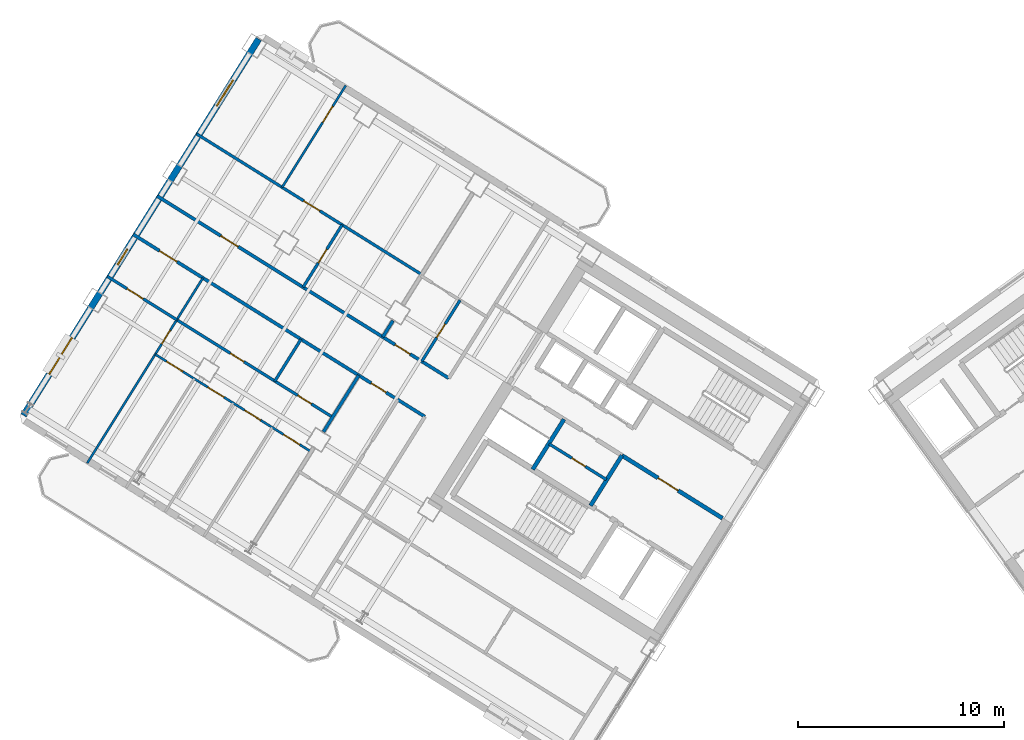
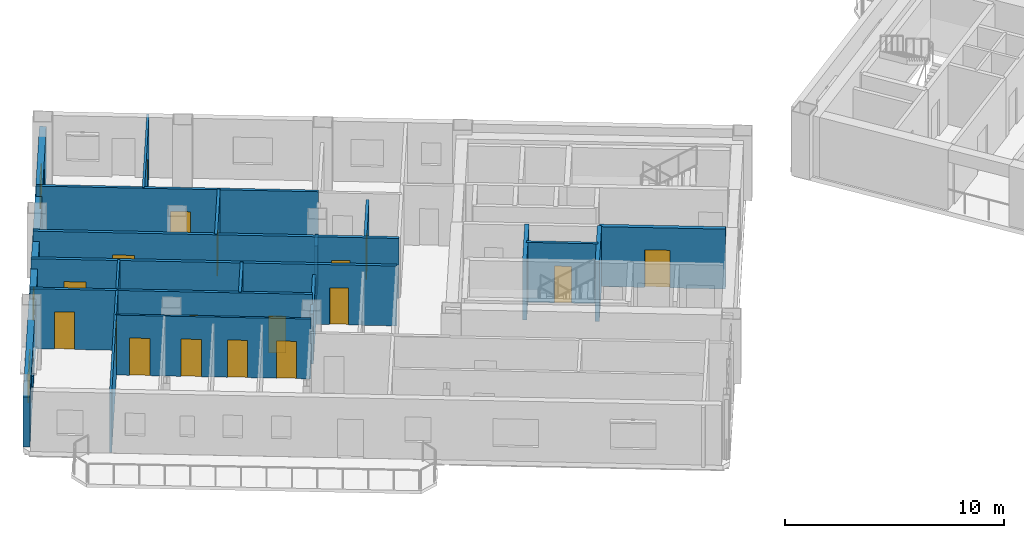
# One storey, part 11 of 19: 18 doors, 18 walls, 3 windows, 21 openings.
"""IFC4 building model written with IfcOpenShell, lengths in metres."""

from ifc_helpers import new_model, si_unit, direction, frame, frame_2d, origin, place, context, subcontext, project, spatial, rectangle, extrude, source, transform, mapped, material, layer, layer_set, type_object, element, fill, save


model = new_model("IFC4")

# Units and contexts
model_context = context("Model", 3, precision=1e-05, world=origin(), true_north=direction((0.0, 1.0)))
body_context = subcontext(model_context, "Body", "Model", "MODEL_VIEW")
ifc_project = project(units=[si_unit("LENGTHUNIT", "METRE"), si_unit("AREAUNIT", "SQUARE_METRE"), si_unit("VOLUMEUNIT", "CUBIC_METRE"), si_unit("PLANEANGLEUNIT", "RADIAN"), si_unit("MASSUNIT", "GRAM", prefix="KILO")], contexts=[model_context])

# Site, building, storey
site_placement = place(None, origin())
site = spatial("IfcSite", under=ifc_project, at=site_placement, CompositionType="ELEMENT")
building_placement = place(site_placement, origin())
building = spatial("IfcBuilding", under=site, at=building_placement, Name="Tlacorven Tower", CompositionType="ELEMENT")
storey_placement = place(building_placement, frame((0.0, 0.0, 147.89990234375)))
storey = spatial("IfcBuildingStorey", under=building, at=storey_placement, Name="L37", CompositionType="ELEMENT", Elevation=147.89990234375)

# Wall, openings, doors
ifc_material_1 = material(Name="Gypsum plasterboard acoustic partition", Category="gypsum")
ifc_layer_1 = layer(ifc_material_1, 0.159912109375)
ifc_layer_set_1 = layer_set([ifc_layer_1], Name="Gypsum plasterboard acoustic partition")
wall_type_1 = type_object("IfcWallType", Name="WL-DEM-160", PredefinedType="PARTITIONING", material=ifc_layer_set_1)
wall_1_placement = place(storey_placement, frame((23.104248046875, 25.25634765625, 0.0), z_axis=(0.0, 0.0, 1.0), x_axis=(-0.848041752158, 0.529929416617, 0.0)))
wall_1 = element("IfcWall", 1, at=wall_1_placement, inside=storey, type_object=wall_type_1, Name="L37 Wing W Corridor South Wall", PredefinedType="PARTITIONING", context=body_context, shape_type="SweptSolid", body=[
    extrude(rectangle(XDim=16.72998046875, YDim=0.159912109375, at=frame_2d((8.364990234375, 0.0))), origin(), (0.0, 0.0, 1.0), 3.340087890625),
])
opening_1_placement = place(wall_1_placement, frame((2.219970703125, 0.0, 0.0)))
opening_1 = element("IfcOpeningElement", 2, at=opening_1_placement, cuts=wall_1, Name="Opening D19", PredefinedType="OPENING", context=body_context, shape_type="SweptSolid", body=[
    extrude(rectangle(XDim=0.860107421875, YDim=2.050048828125, at=frame_2d((0.43017578125, 1.02490234375))), frame((0.0, 0.08984375, 0.0), z_axis=(0.0, -1.0, 0.0), x_axis=(1.0, 0.0, 0.0)), (0.0, 0.0, 1.0), 0.179931640625),
])
opening_2_placement = place(wall_1_placement, frame((12.083984375, 0.0, 0.0)))
opening_2 = element("IfcOpeningElement", 3, at=opening_2_placement, cuts=wall_1, Name="Opening D11", PredefinedType="OPENING", context=body_context, shape_type="SweptSolid", body=[
    extrude(rectangle(XDim=1.0, YDim=2.10009765625, at=frame_2d((0.5, 1.050048828125))), frame((0.0, 0.08984375, 0.0), z_axis=(0.0, -1.0, 0.0), x_axis=(1.0, 0.0, 0.0)), (0.0, 0.0, 1.0), 0.179931640625),
])
ifc_material_2 = material(Name="Fire-rated steel door assembly", Category="steel")
door_type_1 = type_object("IfcDoorType", Name="DR-RSR-FD60-0860", OperationType="NOTDEFINED", PredefinedType="DOOR", material=ifc_material_2)
shared_shape_1 = source(origin(), body_context, "Body", "SweptSolid", [
    extrude(rectangle(XDim=0.860107421875, YDim=2.050048828125, at=frame_2d((0.43017578125, 1.02490234375))), frame((0.0, 0.02490234375, 0.0), z_axis=(0.0, -1.0, 0.0), x_axis=(1.0, 0.0, 0.0)), (0.0, 0.0, 1.0), 0.050048828125),
])
door_1_placement = place(opening_1_placement, origin())
door_1 = element("IfcDoor", 4, at=door_1_placement, inside=storey, type_object=door_type_1, Name="L37 door 038", OperationType="SINGLE_SWING_RIGHT", OverallHeight=2.050048828125, OverallWidth=0.860107421875, PredefinedType="DOOR", context=body_context, shape_type="MappedRepresentation", body=[
    mapped(shared_shape_1, transform((0.0, 0.0, 0.0), scale=1.0)),
])
fill(opening_1, door_1)
door_type_2 = type_object("IfcDoorType", Name="DR-FLT-FD60-1000", OperationType="NOTDEFINED", PredefinedType="DOOR", material=ifc_material_2)
shared_shape_2 = source(origin(), body_context, "Body", "SweptSolid", [
    extrude(rectangle(XDim=1.0, YDim=2.10009765625, at=frame_2d((0.5, 1.050048828125))), frame((0.0, 0.02490234375, 0.0), z_axis=(0.0, -1.0, 0.0), x_axis=(1.0, 0.0, 0.0)), (0.0, 0.0, 1.0), 0.050048828125),
])
door_2_placement = place(opening_2_placement, origin())
door_2 = element("IfcDoor", 5, at=door_2_placement, inside=storey, type_object=door_type_2, Name="L37 door 042", OperationType="SINGLE_SWING_RIGHT", OverallHeight=2.10009765625, OverallWidth=1.0, PredefinedType="DOOR", context=body_context, shape_type="MappedRepresentation", body=[
    mapped(shared_shape_2, transform((0.0, 0.0, 0.0), scale=1.0)),
])
fill(opening_2, door_2)

wall_2_placement = place(storey_placement, frame((21.9384765625, 23.390625, 0.0), z_axis=(0.0, 0.0, 1.0), x_axis=(-0.848045850158, 0.529922858565, 0.0)))
wall_2 = element("IfcWall", 6, at=wall_2_placement, inside=storey, type_object=wall_type_1, Name="L37 Wing W Corridor North Wall", PredefinedType="PARTITIONING", context=body_context, shape_type="SweptSolid", body=[
    extrude(rectangle(XDim=16.730224609375, YDim=0.159912109375, at=frame_2d((8.365234375, 0.0))), origin(), (0.0, 0.0, 1.0), 3.340087890625),
])
opening_3_placement = place(wall_2_placement, frame((2.219970703125, 0.0, 0.0)))
opening_3 = element("IfcOpeningElement", 7, at=opening_3_placement, cuts=wall_2, Name="Opening D19", PredefinedType="OPENING", context=body_context, shape_type="SweptSolid", body=[
    extrude(rectangle(XDim=0.860107421875, YDim=2.050048828125, at=frame_2d((0.43017578125, 1.02490234375))), frame((0.0, 0.08984375, 0.0), z_axis=(0.0, -1.0, 0.0), x_axis=(1.0, 0.0, 0.0)), (0.0, 0.0, 1.0), 0.179931640625),
])
opening_4_placement = place(wall_2_placement, frame((14.219970703125, 0.0, 0.0)))
opening_4 = element("IfcOpeningElement", 8, at=opening_4_placement, cuts=wall_2, Name="Opening D11", PredefinedType="OPENING", context=body_context, shape_type="SweptSolid", body=[
    extrude(rectangle(XDim=1.0, YDim=2.10009765625, at=frame_2d((0.5, 1.050048828125))), frame((0.0, 0.08984375, 0.0), z_axis=(0.0, -1.0, 0.0), x_axis=(1.0, 0.0, 0.0)), (0.0, 0.0, 1.0), 0.179931640625),
])
door_3_placement = place(opening_3_placement, origin())
door_3 = element("IfcDoor", 9, at=door_3_placement, inside=storey, type_object=door_type_1, Name="L37 door 025", OperationType="SINGLE_SWING_LEFT", OverallHeight=2.050048828125, OverallWidth=0.860107421875, PredefinedType="DOOR", context=body_context, shape_type="MappedRepresentation", body=[
    mapped(shared_shape_1, transform((0.0, 0.0, 0.0), scale=1.0)),
])
fill(opening_3, door_3)
door_4_placement = place(opening_4_placement, origin())
door_4 = element("IfcDoor", 10, at=door_4_placement, inside=storey, type_object=door_type_2, Name="L37 door 029", OperationType="SINGLE_SWING_LEFT", OverallHeight=2.10009765625, OverallWidth=1.0, PredefinedType="DOOR", context=body_context, shape_type="MappedRepresentation", body=[
    mapped(shared_shape_2, transform((0.0, 0.0, 0.0), scale=1.0)),
])
fill(opening_4, door_4)

# Walls
wall_3_placement = place(storey_placement, frame((18.724365234375, 25.399169921875, 0.0), z_axis=(0.0, 0.0, 1.0), x_axis=(-0.529890499457, -0.848066069705, 0.0)))
element("IfcWall", 11, at=wall_3_placement, inside=storey, type_object=wall_type_1, Name="L37 WN Demising Wall 1", PredefinedType="PARTITIONING", context=body_context, shape_type="SweptSolid", body=[
    extrude(rectangle(XDim=3.238037109375, YDim=0.159912109375, at=frame_2d((1.619140625, 0.0))), origin(), (0.0, 0.0, 1.0), 2.775146484375),
])
wall_4_placement = place(storey_placement, frame((20.38720703125, 28.060302734375, 0.0), z_axis=(0.0, 0.0, 1.0), x_axis=(-0.529952145338, -0.848027548876, 0.0)))
element("IfcWall", 12, at=wall_4_placement, inside=storey, type_object=wall_type_1, Name="L37 WS Demising Wall 1", PredefinedType="PARTITIONING", context=body_context, shape_type="SweptSolid", body=[
    extrude(rectangle(XDim=0.93798828125, YDim=0.159912109375, at=frame_2d((0.468994140625, 0.0))), origin(), (0.0, 0.0, 1.0), 2.775146484375),
])

# Wall, openings, windows
ifc_material_3 = material(Name="Precast concrete C45/55", Category="concrete")
ifc_layer_2 = layer(ifc_material_3, 0.320068359375)
ifc_layer_set_2 = layer_set([ifc_layer_2], Name="Precast concrete C45/55")
wall_type_2 = type_object("IfcWallType", Name="WL-EXT-320", PredefinedType="STANDARD", material=ifc_layer_set_2)
wall_5_placement = place(storey_placement, frame((2.41455078125, 23.452392578125, 0.0), z_axis=(0.0, 0.0, 1.0), x_axis=(0.52991049553, 0.848053575387, 0.0)))
wall_5 = element("IfcWall", 13, at=wall_5_placement, inside=storey, type_object=wall_type_2, Name="L37 Masonry-Frame Recessed Facade Wall 2", PredefinedType="STANDARD", context=body_context, shape_type="SweptSolid", body=[
    extrude(rectangle(XDim=21.58740234375, YDim=0.320068359375, at=frame_2d((10.793701171875, 0.0))), origin(), (0.0, 0.0, 1.0), 2.775146484375),
])
opening_5_placement = place(wall_5_placement, frame((2.356201171875, 0.0, 0.800048828125)))
opening_5 = element("IfcOpeningElement", 14, at=opening_5_placement, cuts=wall_5, Name="Opening WN04", PredefinedType="OPENING", context=body_context, shape_type="SweptSolid", body=[
    extrude(rectangle(XDim=2.10009765625, YDim=1.550048828125, at=frame_2d((1.050048828125, 0.77490234375))), frame((0.0, 0.169921875, 0.0), z_axis=(0.0, -1.0, 0.0), x_axis=(1.0, 0.0, 0.0)), (0.0, 0.0, 1.0), 0.340087890625),
])
opening_6_placement = place(wall_5_placement, frame((8.638671875, 0.0, 1.0)))
opening_6 = element("IfcOpeningElement", 15, at=opening_6_placement, cuts=wall_5, Name="Opening WN05", PredefinedType="OPENING", context=body_context, shape_type="SweptSolid", body=[
    extrude(rectangle(XDim=0.89990234375, YDim=1.25, at=frame_2d((0.449951171875, 0.625))), frame((0.0, 0.169921875, 0.0), z_axis=(0.0, -1.0, 0.0), x_axis=(1.0, 0.0, 0.0)), (0.0, 0.0, 1.0), 0.340087890625),
])
opening_7_placement = place(wall_5_placement, frame((17.74365234375, 0.0, 0.85009765625)))
opening_7 = element("IfcOpeningElement", 16, at=opening_7_placement, cuts=wall_5, Name="Opening WN02", PredefinedType="OPENING", context=body_context, shape_type="SweptSolid", body=[
    extrude(rectangle(XDim=1.5, YDim=1.5, at=frame_2d((0.75, 0.75))), frame((0.0, 0.169921875, 0.0), z_axis=(0.0, -1.0, 0.0), x_axis=(1.0, 0.0, 0.0)), (0.0, 0.0, 1.0), 0.340087890625),
])
ifc_material_4 = material(Name="Dark solar low-E double glazing in anodised aluminium frame", Category="aluminium")
window_type_1 = type_object("IfcWindowType", Name="WN-APT-2100X1750", PartitioningType="SINGLE_PANEL", PredefinedType="WINDOW", material=ifc_material_4)
shared_shape_3 = source(origin(), body_context, "Body", "SweptSolid", [
    extrude(rectangle(XDim=2.10009765625, YDim=1.550048828125, at=frame_2d((1.050048828125, 0.77490234375))), frame((0.0, 0.030029296875, 0.0), z_axis=(0.0, -1.0, 0.0), x_axis=(1.0, 0.0, 0.0)), (0.0, 0.0, 1.0), 0.06005859375),
])
window_1_placement = place(opening_5_placement, origin())
window_1 = element("IfcWindow", 17, at=window_1_placement, inside=storey, type_object=window_type_1, Name="L37 Recessed Masonry-Frame Window L37-02.1", OverallHeight=1.550048828125, OverallWidth=2.10009765625, PartitioningType="SINGLE_PANEL", PredefinedType="WINDOW", context=body_context, shape_type="MappedRepresentation", body=[
    mapped(shared_shape_3, transform((0.0, 0.0, 0.0), scale=1.0)),
])
fill(opening_5, window_1)
window_type_2 = type_object("IfcWindowType", Name="WN-APT-1500X1650", PartitioningType="SINGLE_PANEL", PredefinedType="WINDOW", material=ifc_material_4)
shared_shape_4 = source(origin(), body_context, "Body", "SweptSolid", [
    extrude(rectangle(XDim=1.5, YDim=1.5, at=frame_2d((0.75, 0.75))), frame((0.0, 0.030029296875, 0.0), z_axis=(0.0, -1.0, 0.0), x_axis=(1.0, 0.0, 0.0)), (0.0, 0.0, 1.0), 0.06005859375),
])
window_2_placement = place(opening_7_placement, origin())
window_2 = element("IfcWindow", 18, at=window_2_placement, inside=storey, type_object=window_type_2, Name="L37 Recessed Masonry-Frame Window L37-02.3", OverallHeight=1.5, OverallWidth=1.5, PartitioningType="SINGLE_PANEL", PredefinedType="WINDOW", context=body_context, shape_type="MappedRepresentation", body=[
    mapped(shared_shape_4, transform((0.0, 0.0, 0.0), scale=1.0)),
])
fill(opening_7, window_2)
window_type_3 = type_object("IfcWindowType", Name="WN-APT-0900X1350", PartitioningType="SINGLE_PANEL", PredefinedType="WINDOW", material=ifc_material_4)
shared_shape_5 = source(origin(), body_context, "Body", "SweptSolid", [
    extrude(rectangle(XDim=0.89990234375, YDim=1.25, at=frame_2d((0.449951171875, 0.625))), frame((0.0, 0.030029296875, 0.0), z_axis=(0.0, -1.0, 0.0), x_axis=(1.0, 0.0, 0.0)), (0.0, 0.0, 1.0), 0.06005859375),
])
window_3_placement = place(opening_6_placement, origin())
window_3 = element("IfcWindow", 19, at=window_3_placement, inside=storey, type_object=window_type_3, Name="L37 Recessed Masonry-Frame Window L37-02.2", OverallHeight=1.25, OverallWidth=0.89990234375, PartitioningType="SINGLE_PANEL", PredefinedType="WINDOW", context=body_context, shape_type="MappedRepresentation", body=[
    mapped(shared_shape_5, transform((0.0, 0.0, 0.0), scale=1.0)),
])
fill(opening_6, window_3)

# Wall, opening, door
ifc_material_5 = material(Name="Gypsum plasterboard partition", Category="gypsum")
ifc_layer_3 = layer(ifc_material_5, 0.110107421875)
ifc_layer_set_3 = layer_set([ifc_layer_3], Name="Gypsum plasterboard partition")
wall_type_3 = type_object("IfcWallType", Name="WL-INT-110", PredefinedType="PARTITIONING", material=ifc_layer_set_3)
wall_6_placement = place(storey_placement, frame((11.142822265625, 30.136474609375, 0.0), z_axis=(0.0, 0.0, 1.0), x_axis=(-0.529922479612, -0.848046086956, 0.0)))
wall_6 = element("IfcWall", 20, at=wall_6_placement, inside=storey, type_object=wall_type_3, Name="L37 partition 56", PredefinedType="PARTITIONING", context=body_context, shape_type="SweptSolid", body=[
    extrude(rectangle(XDim=10.619873046875, YDim=0.110107421875, at=frame_2d((5.31005859375, 0.0))), origin(), (0.0, 0.0, 1.0), 3.340087890625),
])
opening_8_placement = place(wall_6_placement, frame((3.0, 0.0, 0.0)))
opening_8 = element("IfcOpeningElement", 21, at=opening_8_placement, cuts=wall_6, Name="Opening D22", PredefinedType="OPENING", context=body_context, shape_type="SweptSolid", body=[
    extrude(rectangle(XDim=0.780029296875, YDim=2.050048828125, at=frame_2d((0.39013671875, 1.02490234375))), frame((0.0, 0.06494140625, 0.0), z_axis=(0.0, -1.0, 0.0), x_axis=(1.0, 0.0, 0.0)), (0.0, 0.0, 1.0), 0.130126953125),
])
ifc_material_6 = material(Name="Powder-coated aluminium and timber door", Category="wood")
door_type_3 = type_object("IfcDoorType", Name="DR-INT-WET-0780", OperationType="NOTDEFINED", PredefinedType="DOOR", material=ifc_material_6)
shared_shape_6 = source(origin(), body_context, "Body", "SweptSolid", [
    extrude(rectangle(XDim=0.780029296875, YDim=2.050048828125, at=frame_2d((0.39013671875, 1.02490234375))), frame((0.0, 0.02490234375, 0.0), z_axis=(0.0, -1.0, 0.0), x_axis=(1.0, 0.0, 0.0)), (0.0, 0.0, 1.0), 0.050048828125),
])
door_5_placement = place(opening_8_placement, origin())
door_5 = element("IfcDoor", 22, at=door_5_placement, inside=storey, type_object=door_type_3, Name="L37 door 031", OperationType="SINGLE_SWING_LEFT", OverallHeight=2.050048828125, OverallWidth=0.780029296875, PredefinedType="DOOR", context=body_context, shape_type="MappedRepresentation", body=[
    mapped(shared_shape_6, transform((0.0, 0.0, 0.0), scale=1.0)),
])
fill(opening_8, door_5)

# Wall, openings, doors
wall_7_placement = place(storey_placement, frame((16.4033203125, 21.6845703125, 0.0), z_axis=(0.0, 0.0, 1.0), x_axis=(-0.848044326704, 0.52992529657, 0.0)))
wall_7 = element("IfcWall", 23, at=wall_7_placement, inside=storey, type_object=wall_type_3, Name="L37 partition 61", PredefinedType="PARTITIONING", context=body_context, shape_type="SweptSolid", body=[
    extrude(rectangle(XDim=8.93994140625, YDim=0.110107421875, at=frame_2d((4.469970703125, 0.0))), origin(), (0.0, 0.0, 1.0), 3.340087890625),
])
opening_9_placement = place(wall_7_placement, frame((0.657470703125, 0.0, 0.0)))
opening_9 = element("IfcOpeningElement", 24, at=opening_9_placement, cuts=wall_7, Name="Opening D12", PredefinedType="OPENING", context=body_context, shape_type="SweptSolid", body=[
    extrude(rectangle(XDim=0.919921875, YDim=2.080078125, at=frame_2d((0.4599609375, 1.0400390625))), frame((0.0, 0.06494140625, 0.0), z_axis=(0.0, -1.0, 0.0), x_axis=(1.0, 0.0, 0.0)), (0.0, 0.0, 1.0), 0.130126953125),
])
opening_10_placement = place(wall_7_placement, frame((2.892578125, 0.0, 0.0)))
opening_10 = element("IfcOpeningElement", 25, at=opening_10_placement, cuts=wall_7, Name="Opening D12", PredefinedType="OPENING", context=body_context, shape_type="SweptSolid", body=[
    extrude(rectangle(XDim=0.919921875, YDim=2.080078125, at=frame_2d((0.4599609375, 1.0400390625))), frame((0.0, 0.06494140625, 0.0), z_axis=(0.0, -1.0, 0.0), x_axis=(1.0, 0.0, 0.0)), (0.0, 0.0, 1.0), 0.130126953125),
])
opening_11_placement = place(wall_7_placement, frame((5.007568359375, 0.0, 0.0)))
opening_11 = element("IfcOpeningElement", 26, at=opening_11_placement, cuts=wall_7, Name="Opening D12", PredefinedType="OPENING", context=body_context, shape_type="SweptSolid", body=[
    extrude(rectangle(XDim=0.919921875, YDim=2.080078125, at=frame_2d((0.4599609375, 1.0400390625))), frame((0.0, 0.06494140625, 0.0), z_axis=(0.0, -1.0, 0.0), x_axis=(1.0, 0.0, 0.0)), (0.0, 0.0, 1.0), 0.130126953125),
])
opening_12_placement = place(wall_7_placement, frame((7.362548828125, 0.0, 0.0)))
opening_12 = element("IfcOpeningElement", 27, at=opening_12_placement, cuts=wall_7, Name="Opening D12", PredefinedType="OPENING", context=body_context, shape_type="SweptSolid", body=[
    extrude(rectangle(XDim=0.919921875, YDim=2.080078125, at=frame_2d((0.4599609375, 1.0400390625))), frame((0.0, 0.06494140625, 0.0), z_axis=(0.0, -1.0, 0.0), x_axis=(1.0, 0.0, 0.0)), (0.0, 0.0, 1.0), 0.130126953125),
])
door_type_4 = type_object("IfcDoorType", Name="DR-INT-ROOM-0920", OperationType="NOTDEFINED", PredefinedType="DOOR", material=ifc_material_6)
shared_shape_7 = source(origin(), body_context, "Body", "SweptSolid", [
    extrude(rectangle(XDim=0.919921875, YDim=2.080078125, at=frame_2d((0.4599609375, 1.0400390625))), frame((0.0, 0.02490234375, 0.0), z_axis=(0.0, -1.0, 0.0), x_axis=(1.0, 0.0, 0.0)), (0.0, 0.0, 1.0), 0.050048828125),
])
door_6_placement = place(opening_9_placement, origin())
door_6 = element("IfcDoor", 28, at=door_6_placement, inside=storey, type_object=door_type_4, Name="L37 door 034", OperationType="SINGLE_SWING_RIGHT", OverallHeight=2.080078125, OverallWidth=0.919921875, PredefinedType="DOOR", context=body_context, shape_type="MappedRepresentation", body=[
    mapped(shared_shape_7, transform((0.0, 0.0, 0.0), scale=1.0)),
])
fill(opening_9, door_6)
door_7_placement = place(opening_10_placement, origin())
door_7 = element("IfcDoor", 29, at=door_7_placement, inside=storey, type_object=door_type_4, Name="L37 door 035", OperationType="SINGLE_SWING_LEFT", OverallHeight=2.080078125, OverallWidth=0.919921875, PredefinedType="DOOR", context=body_context, shape_type="MappedRepresentation", body=[
    mapped(shared_shape_7, transform((0.0, 0.0, 0.0), scale=1.0)),
])
fill(opening_10, door_7)
door_8_placement = place(opening_11_placement, origin())
door_8 = element("IfcDoor", 30, at=door_8_placement, inside=storey, type_object=door_type_4, Name="L37 door 036", OperationType="SINGLE_SWING_RIGHT", OverallHeight=2.080078125, OverallWidth=0.919921875, PredefinedType="DOOR", context=body_context, shape_type="MappedRepresentation", body=[
    mapped(shared_shape_7, transform((0.0, 0.0, 0.0), scale=1.0)),
])
fill(opening_11, door_8)
door_9_placement = place(opening_12_placement, origin())
door_9 = element("IfcDoor", 31, at=door_9_placement, inside=storey, type_object=door_type_4, Name="L37 door 037", OperationType="SINGLE_SWING_LEFT", OverallHeight=2.080078125, OverallWidth=0.919921875, PredefinedType="DOOR", context=body_context, shape_type="MappedRepresentation", body=[
    mapped(shared_shape_7, transform((0.0, 0.0, 0.0), scale=1.0)),
])
fill(opening_12, door_9)

# Wall, opening, door
wall_8_placement = place(storey_placement, frame((18.089111328125, 39.498046875, 0.0), z_axis=(0.0, 0.0, 1.0), x_axis=(-0.529916267533, -0.848049968695, 0.0)))
wall_8 = element("IfcWall", 32, at=wall_8_placement, inside=storey, type_object=wall_type_3, Name="L37 partition 70", PredefinedType="PARTITIONING", context=body_context, shape_type="SweptSolid", body=[
    extrude(rectangle(XDim=5.840087890625, YDim=0.110107421875, at=frame_2d((2.919921875, 0.0))), origin(), (0.0, 0.0, 1.0), 3.340087890625),
])
opening_13_placement = place(wall_8_placement, frame((1.18994140625, 0.0, 0.0)))
opening_13 = element("IfcOpeningElement", 33, at=opening_13_placement, cuts=wall_8, Name="Opening D12", PredefinedType="OPENING", context=body_context, shape_type="SweptSolid", body=[
    extrude(rectangle(XDim=0.919921875, YDim=2.080078125, at=frame_2d((0.4599609375, 1.0400390625))), frame((0.0, 0.06494140625, 0.0), z_axis=(0.0, -1.0, 0.0), x_axis=(1.0, 0.0, 0.0)), (0.0, 0.0, 1.0), 0.130126953125),
])
door_10_placement = place(opening_13_placement, origin())
door_10 = element("IfcDoor", 34, at=door_10_placement, inside=storey, type_object=door_type_4, Name="L37 door 041", OperationType="SINGLE_SWING_LEFT", OverallHeight=2.080078125, OverallWidth=0.919921875, PredefinedType="DOOR", context=body_context, shape_type="MappedRepresentation", body=[
    mapped(shared_shape_7, transform((0.0, 0.0, 0.0), scale=1.0)),
])
fill(opening_13, door_10)

ifc_material_7 = material(Name="Moisture-resistant gypsum plumbing wall", Category="gypsum")
ifc_layer_4 = layer(ifc_material_7, 0.139892578125)
ifc_layer_set_4 = layer_set([ifc_layer_4], Name="Moisture-resistant gypsum plumbing wall")
wall_type_4 = type_object("IfcWallType", Name="WL-PLM-140", PredefinedType="PLUMBINGWALL", material=ifc_layer_set_4)
wall_9_placement = place(storey_placement, frame((30.766357421875, 20.3271484375, 0.0), z_axis=(0.0, 0.0, 1.0), x_axis=(-0.848052663127, 0.529911955482, 0.0)))
wall_9 = element("IfcWall", 35, at=wall_9_placement, inside=storey, type_object=wall_type_4, Name="L37 partition 23", PredefinedType="PLUMBINGWALL", context=body_context, shape_type="SweptSolid", body=[
    extrude(rectangle(XDim=3.27978515625, YDim=0.139892578125, at=frame_2d((1.639892578125, 0.0))), origin(), (0.0, 0.0, 1.0), 3.340087890625),
])
opening_14_placement = place(wall_9_placement, frame((1.199951171875, 0.0, 0.0)))
opening_14 = element("IfcOpeningElement", 36, at=opening_14_placement, cuts=wall_9, Name="Opening D22", PredefinedType="OPENING", context=body_context, shape_type="SweptSolid", body=[
    extrude(rectangle(XDim=0.780029296875, YDim=2.050048828125, at=frame_2d((0.39013671875, 1.02490234375))), frame((0.0, 0.080078125, 0.0), z_axis=(0.0, -1.0, 0.0), x_axis=(1.0, 0.0, 0.0)), (0.0, 0.0, 1.0), 0.159912109375),
])
door_11_placement = place(opening_14_placement, origin())
door_11 = element("IfcDoor", 37, at=door_11_placement, inside=storey, type_object=door_type_3, Name="L37 door 011", OperationType="SINGLE_SWING_RIGHT", OverallHeight=2.050048828125, OverallWidth=0.780029296875, PredefinedType="DOOR", context=body_context, shape_type="MappedRepresentation", body=[
    mapped(shared_shape_6, transform((0.0, 0.0, 0.0), scale=1.0)),
])
fill(opening_14, door_11)

wall_10_placement = place(storey_placement, frame((9.870849609375, 28.101318359375, 0.0), z_axis=(0.0, 0.0, 1.0), x_axis=(-0.848025873403, 0.529954826413, 0.0)))
wall_10 = element("IfcWall", 38, at=wall_10_placement, inside=storey, type_object=wall_type_4, Name="L37 partition 58", PredefinedType="PLUMBINGWALL", context=body_context, shape_type="SweptSolid", body=[
    extrude(rectangle(XDim=3.979736328125, YDim=0.139892578125, at=frame_2d((1.98974609375, 0.0))), origin(), (0.0, 0.0, 1.0), 3.340087890625),
])
opening_15_placement = place(wall_10_placement, frame((1.929931640625, 0.0, 0.0)))
opening_15 = element("IfcOpeningElement", 39, at=opening_15_placement, cuts=wall_10, Name="Opening D12", PredefinedType="OPENING", context=body_context, shape_type="SweptSolid", body=[
    extrude(rectangle(XDim=0.919921875, YDim=2.080078125, at=frame_2d((0.4599609375, 1.0400390625))), frame((0.0, 0.080078125, 0.0), z_axis=(0.0, -1.0, 0.0), x_axis=(1.0, 0.0, 0.0)), (0.0, 0.0, 1.0), 0.159912109375),
])
door_12_placement = place(opening_15_placement, origin())
door_12 = element("IfcDoor", 40, at=door_12_placement, inside=storey, type_object=door_type_4, Name="L37 door 030", OperationType="SINGLE_SWING_RIGHT", OverallHeight=2.080078125, OverallWidth=0.919921875, PredefinedType="DOOR", context=body_context, shape_type="MappedRepresentation", body=[
    mapped(shared_shape_7, transform((0.0, 0.0, 0.0), scale=1.0)),
])
fill(opening_15, door_12)

# Wall, openings, doors
wall_11_placement = place(storey_placement, frame((17.452392578125, 23.36376953125, 0.0), z_axis=(0.0, 0.0, 1.0), x_axis=(-0.848044326704, 0.52992529657, 0.0)))
wall_11 = element("IfcWall", 41, at=wall_11_placement, inside=storey, type_object=wall_type_4, Name="L37 partition 59", PredefinedType="PLUMBINGWALL", context=body_context, shape_type="SweptSolid", body=[
    extrude(rectangle(XDim=8.93994140625, YDim=0.139892578125, at=frame_2d((4.469970703125, 0.0))), origin(), (0.0, 0.0, 1.0), 3.340087890625),
])
opening_16_placement = place(wall_11_placement, frame((5.08740234375, 0.0, 0.0)))
opening_16 = element("IfcOpeningElement", 42, at=opening_16_placement, cuts=wall_11, Name="Opening D22", PredefinedType="OPENING", context=body_context, shape_type="SweptSolid", body=[
    extrude(rectangle(XDim=0.780029296875, YDim=2.050048828125, at=frame_2d((0.39013671875, 1.02490234375))), frame((0.0, 0.080078125, 0.0), z_axis=(0.0, -1.0, 0.0), x_axis=(1.0, 0.0, 0.0)), (0.0, 0.0, 1.0), 0.159912109375),
])
opening_17_placement = place(wall_11_placement, frame((1.217529296875, 0.0, 0.0)))
opening_17 = element("IfcOpeningElement", 43, at=opening_17_placement, cuts=wall_11, Name="Opening D22", PredefinedType="OPENING", context=body_context, shape_type="SweptSolid", body=[
    extrude(rectangle(XDim=0.780029296875, YDim=2.050048828125, at=frame_2d((0.39013671875, 1.02490234375))), frame((0.0, 0.080078125, 0.0), z_axis=(0.0, -1.0, 0.0), x_axis=(1.0, 0.0, 0.0)), (0.0, 0.0, 1.0), 0.159912109375),
])
door_13_placement = place(opening_16_placement, origin())
door_13 = element("IfcDoor", 44, at=door_13_placement, inside=storey, type_object=door_type_3, Name="L37 door 032", OperationType="SINGLE_SWING_LEFT", OverallHeight=2.050048828125, OverallWidth=0.780029296875, PredefinedType="DOOR", context=body_context, shape_type="MappedRepresentation", body=[
    mapped(shared_shape_6, transform((0.0, 0.0, 0.0), scale=1.0)),
])
fill(opening_16, door_13)
door_14_placement = place(opening_17_placement, origin())
door_14 = element("IfcDoor", 45, at=door_14_placement, inside=storey, type_object=door_type_3, Name="L37 door 033", OperationType="SINGLE_SWING_LEFT", OverallHeight=2.050048828125, OverallWidth=0.780029296875, PredefinedType="DOOR", context=body_context, shape_type="MappedRepresentation", body=[
    mapped(shared_shape_6, transform((0.0, 0.0, 0.0), scale=1.0)),
])
fill(opening_17, door_14)

# Wall
wall_12_placement = place(storey_placement, frame((15.9130859375, 27.15576171875, 0.0), z_axis=(0.0, 0.0, 1.0), x_axis=(-0.529935194983, -0.848038141311, 0.0)))
element("IfcWall", 46, at=wall_12_placement, inside=storey, type_object=wall_type_4, Name="L37 partition 60", PredefinedType="PLUMBINGWALL", context=body_context, shape_type="SweptSolid", body=[
    extrude(rectangle(XDim=2.409912109375, YDim=0.139892578125, at=frame_2d((1.205078125, 0.0))), origin(), (0.0, 0.0, 1.0), 3.340087890625),
])

# Wall, opening, door
wall_13_placement = place(storey_placement, frame((23.649658203125, 29.054443359375, 0.0), z_axis=(0.0, 0.0, 1.0), x_axis=(-0.529898896701, -0.848060822863, 0.0)))
wall_13 = element("IfcWall", 47, at=wall_13_placement, inside=storey, type_object=wall_type_4, Name="L37 partition 67", PredefinedType="PLUMBINGWALL", context=body_context, shape_type="SweptSolid", body=[
    extrude(rectangle(XDim=3.509765625, YDim=0.139892578125, at=frame_2d((1.7548828125, 0.0))), origin(), (0.0, 0.0, 1.0), 2.9951171875),
])
opening_18_placement = place(wall_13_placement, frame((1.364990234375, 0.0, 0.0)))
opening_18 = element("IfcOpeningElement", 48, at=opening_18_placement, cuts=wall_13, Name="Opening D22", PredefinedType="OPENING", context=body_context, shape_type="SweptSolid", body=[
    extrude(rectangle(XDim=0.780029296875, YDim=2.050048828125, at=frame_2d((0.39013671875, 1.02490234375))), frame((0.0, 0.080078125, 0.0), z_axis=(0.0, -1.0, 0.0), x_axis=(1.0, 0.0, 0.0)), (0.0, 0.0, 1.0), 0.159912109375),
])
door_15_placement = place(opening_18_placement, origin())
door_15 = element("IfcDoor", 49, at=door_15_placement, inside=storey, type_object=door_type_3, Name="L37 door 040", OperationType="SINGLE_SWING_RIGHT", OverallHeight=2.050048828125, OverallWidth=0.780029296875, PredefinedType="DOOR", context=body_context, shape_type="MappedRepresentation", body=[
    mapped(shared_shape_6, transform((0.0, 0.0, 0.0), scale=1.0)),
])
fill(opening_18, door_15)

wall_14_placement = place(storey_placement, frame((21.787353515625, 30.30078125, 0.0), z_axis=(0.0, 0.0, 1.0), x_axis=(-0.848043949058, 0.52992590092, 0.0)))
wall_14 = element("IfcWall", 50, at=wall_14_placement, inside=storey, type_object=wall_type_4, Name="L37 partition 68", PredefinedType="PLUMBINGWALL", context=body_context, shape_type="SweptSolid", body=[
    extrude(rectangle(XDim=12.920166015625, YDim=0.139892578125, at=frame_2d((6.4599609375, 0.0))), origin(), (0.0, 0.0, 1.0), 3.340087890625),
])
opening_19_placement = place(wall_14_placement, frame((5.84912109375, 0.0, 0.0)))
opening_19 = element("IfcOpeningElement", 51, at=opening_19_placement, cuts=wall_14, Name="Opening D12", PredefinedType="OPENING", context=body_context, shape_type="SweptSolid", body=[
    extrude(rectangle(XDim=0.919921875, YDim=2.080078125, at=frame_2d((0.4599609375, 1.0400390625))), frame((0.0, 0.080078125, 0.0), z_axis=(0.0, -1.0, 0.0), x_axis=(1.0, 0.0, 0.0)), (0.0, 0.0, 1.0), 0.159912109375),
])
door_16_placement = place(opening_19_placement, origin())
door_16 = element("IfcDoor", 52, at=door_16_placement, inside=storey, type_object=door_type_4, Name="L37 door 043", OperationType="SINGLE_SWING_LEFT", OverallHeight=2.080078125, OverallWidth=0.919921875, PredefinedType="DOOR", context=body_context, shape_type="MappedRepresentation", body=[
    mapped(shared_shape_7, transform((0.0, 0.0, 0.0), scale=1.0)),
])
fill(opening_19, door_16)

wall_15_placement = place(storey_placement, frame((17.913330078125, 32.721435546875, 0.0), z_axis=(0.0, 0.0, 1.0), x_axis=(-0.529906983049, -0.848055770169, 0.0)))
wall_15 = element("IfcWall", 53, at=wall_15_placement, inside=storey, type_object=wall_type_4, Name="L37 partition 69", PredefinedType="PLUMBINGWALL", context=body_context, shape_type="SweptSolid", body=[
    extrude(rectangle(XDim=3.579833984375, YDim=0.139892578125, at=frame_2d((1.7900390625, 0.0))), origin(), (0.0, 0.0, 1.0), 3.340087890625),
])
opening_20_placement = place(wall_15_placement, frame((1.39990234375, 0.0, 0.0)))
opening_20 = element("IfcOpeningElement", 54, at=opening_20_placement, cuts=wall_15, Name="Opening D22", PredefinedType="OPENING", context=body_context, shape_type="SweptSolid", body=[
    extrude(rectangle(XDim=0.780029296875, YDim=2.050048828125, at=frame_2d((0.39013671875, 1.02490234375))), frame((0.0, 0.080078125, 0.0), z_axis=(0.0, -1.0, 0.0), x_axis=(1.0, 0.0, 0.0)), (0.0, 0.0, 1.0), 0.159912109375),
])
door_17_placement = place(opening_20_placement, origin())
door_17 = element("IfcDoor", 55, at=door_17_placement, inside=storey, type_object=door_type_3, Name="L37 door 044", OperationType="SINGLE_SWING_RIGHT", OverallHeight=2.050048828125, OverallWidth=0.780029296875, PredefinedType="DOOR", context=body_context, shape_type="MappedRepresentation", body=[
    mapped(shared_shape_6, transform((0.0, 0.0, 0.0), scale=1.0)),
])
fill(opening_20, door_17)

ifc_material_8 = material(Name="Concrete C40/50", Category="concrete")
ifc_layer_5 = layer(ifc_material_8, 0.199951171875)
ifc_layer_set_5 = layer_set([ifc_layer_5], Name="Concrete C40/50")
wall_type_5 = type_object("IfcWallType", Name="WL-SHF-200", PredefinedType="STANDARD", material=ifc_layer_set_5)
wall_16_placement = place(storey_placement, frame((36.416748046875, 18.447265625, 0.0), z_axis=(0.0, 0.0, 1.0), x_axis=(-0.848064879198, 0.529892404805, 0.0)))
wall_16 = element("IfcWall", 56, at=wall_16_placement, inside=storey, type_object=wall_type_5, Name="L37 Core W Smoke Lobby Wall", PredefinedType="STANDARD", context=body_context, shape_type="SweptSolid", body=[
    extrude(rectangle(XDim=5.76806640625, YDim=0.199951171875, at=frame_2d((2.884033203125, 0.0))), origin(), (0.0, 0.0, 1.0), 3.340087890625),
])
opening_21_placement = place(wall_16_placement, frame((2.548095703125, 0.0, 0.0)))
opening_21 = element("IfcOpeningElement", 57, at=opening_21_placement, cuts=wall_16, Name="Opening D09", PredefinedType="OPENING", context=body_context, shape_type="SweptSolid", body=[
    extrude(rectangle(XDim=1.14990234375, YDim=2.10009765625, at=frame_2d((0.574951171875, 1.050048828125))), frame((0.0, 0.10986328125, 0.0), z_axis=(0.0, -1.0, 0.0), x_axis=(1.0, 0.0, 0.0)), (0.0, 0.0, 1.0), 0.219970703125),
])
door_type_5 = type_object("IfcDoorType", Name="DR-FFL-FD60-1150", OperationType="NOTDEFINED", PredefinedType="DOOR", material=ifc_material_2)
shared_shape_8 = source(origin(), body_context, "Body", "SweptSolid", [
    extrude(rectangle(XDim=1.14990234375, YDim=2.10009765625, at=frame_2d((0.574951171875, 1.050048828125))), frame((0.0, 0.02490234375, 0.0), z_axis=(0.0, -1.0, 0.0), x_axis=(1.0, 0.0, 0.0)), (0.0, 0.0, 1.0), 0.050048828125),
])
door_18_placement = place(opening_21_placement, origin())
door_18 = element("IfcDoor", 58, at=door_18_placement, inside=storey, type_object=door_type_5, Name="L37 Firefighting Lobby W Fire Door", OperationType="SINGLE_SWING_LEFT", OverallHeight=2.10009765625, OverallWidth=1.14990234375, PredefinedType="DOOR", context=body_context, shape_type="MappedRepresentation", body=[
    mapped(shared_shape_8, transform((0.0, 0.0, 0.0), scale=1.0)),
])
fill(opening_21, door_18)

# Walls
for number, where, z_axis, x_axis, name in (
    (59, (31.525146484375, 21.503662109375, 0.0), (0.0, 0.0, 1.0), (-0.529907497854, -0.848055448493, 0.0), "L37 partition 20"),
    (60, (28.709716796875, 23.26318359375, 0.0), (0.0, 0.0, 1.0), (-0.529907497854, -0.848055448493, 0.0), "L37 partition 21"),
):
    element("IfcWall", number, at=place(storey_placement, frame(where, z_axis=z_axis, x_axis=x_axis)), inside=storey, type_object=wall_type_5, Name=name, PredefinedType="STANDARD", context=body_context, shape_type="SweptSolid", body=[
        extrude(rectangle(XDim=2.8798828125, YDim=0.199951171875, at=frame_2d((1.43994140625, 0.0))), origin(), (0.0, 0.0, 1.0), 3.340087890625),
    ])

save(model, "model.ifc")
